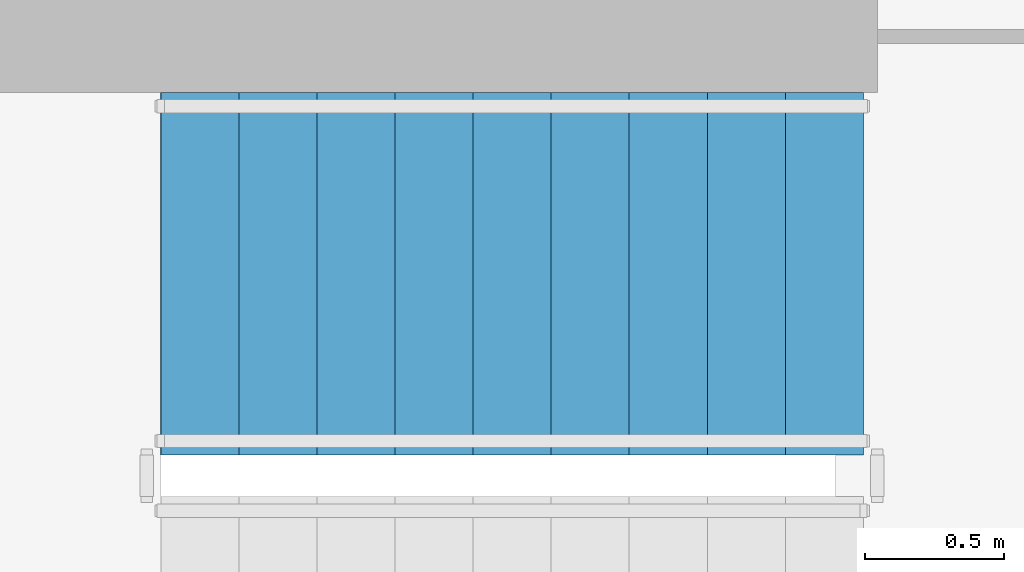
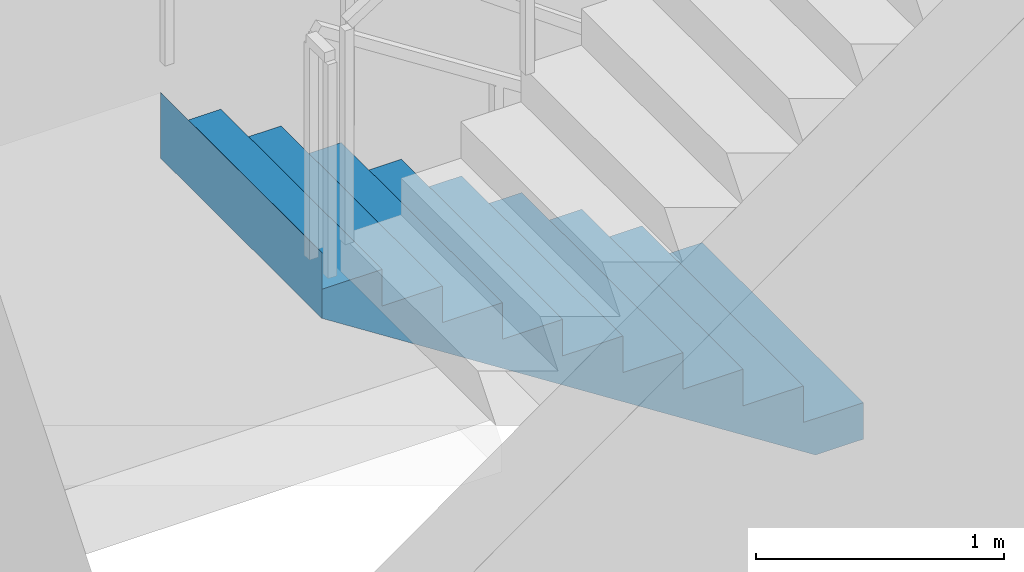
# One storey, part 21 of 25: 1 stair flight, 1 element without a shape of its own.
"""IFC4 building model written with IfcOpenShell, lengths in metres."""

from ifc_helpers import new_model, si_unit, direction, frame, origin, place, context, subcontext, project, spatial, triangles, material, type_object, element, aggregate, save


model = new_model("IFC4")

# Units and contexts
model_context = context("Model", 3, precision=1e-05, world=origin(), true_north=direction((0.0, 1.0)))
body_context = subcontext(model_context, "Body", "Model", "MODEL_VIEW")
ifc_project = project(units=[si_unit("LENGTHUNIT", "METRE"), si_unit("AREAUNIT", "SQUARE_METRE"), si_unit("VOLUMEUNIT", "CUBIC_METRE"), si_unit("PLANEANGLEUNIT", "RADIAN"), si_unit("MASSUNIT", "GRAM", prefix="KILO")], contexts=[model_context])

# Site, building, storey
site_placement = place(None, origin())
site = spatial("IfcSite", under=ifc_project, at=site_placement, CompositionType="ELEMENT")
building_placement = place(site_placement, origin())
building = spatial("IfcBuilding", under=site, at=building_placement, Name="Beryl Residences", CompositionType="ELEMENT")
storey_placement = place(building_placement, frame((0.0, 0.0, 16.199951171875)))
storey = spatial("IfcBuildingStorey", under=building, at=storey_placement, Name="L04", CompositionType="ELEMENT", Elevation=16.199951171875)

# Stair, stair flight
ifc_material_1 = material(Name="Concrete C40/50", Category="concrete")
stair_type = type_object("IfcStairType", Name="ST1 protected exit stair, half-turn, 1300 mm flights", PredefinedType="HALF_TURN_STAIR", material=ifc_material_1)
stair_placement = place(storey_placement, origin())
stair = element("IfcStair", 1, at=stair_placement, inside=storey, type_object=stair_type, Name="L04 PROTECTED EXIT STAIR ST-3", PredefinedType="HALF_TURN_STAIR")
ifc_material_2 = material(Name="Concrete C40/50", Category="concrete")
stair_flight_type = type_object("IfcStairFlightType", Name="SF1 stair flight 1300 mm", PredefinedType="STRAIGHT", material=ifc_material_2)
stair_flight_placement = place(storey_placement, frame((10.800048828125, -15.5, 0.0), z_axis=(0.0, 0.0, 1.0), x_axis=(-1.0, 0.0, 0.0)))
stair_flight = element("IfcStairFlight", 2, at=stair_flight_placement, type_object=stair_flight_type, Name="ST-3 flight 1", NumberOfRisers=10, NumberOfTreads=9, PredefinedType="STRAIGHT", RiserHeight=0.18, TreadLength=0.28, context=body_context, shape_type="Tessellation", body=[
    triangles([(0.0, -0.64990234375, 0.0), (0.0, -0.324951171875, 0.0), (0.0, 0.0, 0.0), (0.0, 0.324951171875, 0.0), (0.0, 0.64990234375, 0.0), (0.0, -0.64990234375, 0.179931640625), (0.0, -0.324951171875, 0.179931640625), (0.0, 0.0, 0.179931640625), (0.0, 0.324951171875, 0.179931640625), (0.0, 0.64990234375, 0.179931640625), (0.280029296875, -0.64990234375, 0.179931640625), (0.280029296875, -0.324951171875, 0.179931640625), (0.280029296875, 0.0, 0.179931640625), (0.280029296875, 0.324951171875, 0.179931640625), (0.280029296875, 0.64990234375, 0.179931640625), (0.280029296875, -0.64990234375, 0.360107421875), (0.280029296875, -0.324951171875, 0.360107421875), (0.280029296875, 0.0, 0.360107421875), (0.280029296875, 0.324951171875, 0.360107421875), (0.280029296875, 0.64990234375, 0.360107421875), (0.56005859375, -0.64990234375, 0.360107421875), (0.56005859375, -0.324951171875, 0.360107421875), (0.56005859375, 0.0, 0.360107421875), (0.56005859375, 0.324951171875, 0.360107421875), (0.56005859375, 0.64990234375, 0.360107421875), (0.56005859375, -0.64990234375, 0.5400390625), (0.56005859375, -0.324951171875, 0.5400390625), (0.56005859375, 0.0, 0.5400390625), (0.56005859375, 0.324951171875, 0.5400390625), (0.56005859375, 0.64990234375, 0.5400390625), (0.840087890625, -0.64990234375, 0.5400390625), (0.840087890625, -0.324951171875, 0.5400390625), (0.840087890625, 0.0, 0.5400390625), (0.840087890625, 0.324951171875, 0.5400390625), (0.840087890625, 0.64990234375, 0.5400390625), (0.840087890625, -0.64990234375, 0.719970703125), (0.840087890625, -0.324951171875, 0.719970703125), (0.840087890625, 0.0, 0.719970703125), (0.840087890625, 0.324951171875, 0.719970703125), (0.840087890625, 0.64990234375, 0.719970703125), (1.1201171875, -0.64990234375, 0.719970703125), (1.1201171875, -0.324951171875, 0.719970703125), (1.1201171875, 0.0, 0.719970703125), (1.1201171875, 0.324951171875, 0.719970703125), (1.1201171875, 0.64990234375, 0.719970703125), (1.1201171875, -0.64990234375, 0.89990234375), (1.1201171875, -0.324951171875, 0.89990234375), (1.1201171875, 0.0, 0.89990234375), (1.1201171875, 0.324951171875, 0.89990234375), (1.1201171875, 0.64990234375, 0.89990234375), (1.39990234375, -0.64990234375, 0.89990234375), (1.39990234375, -0.324951171875, 0.89990234375), (1.39990234375, 0.0, 0.89990234375), (1.39990234375, 0.324951171875, 0.89990234375), (1.39990234375, 0.64990234375, 0.89990234375), (1.39990234375, -0.64990234375, 1.080078125), (1.39990234375, -0.324951171875, 1.080078125), (1.39990234375, 0.0, 1.080078125), (1.39990234375, 0.324951171875, 1.080078125), (1.39990234375, 0.64990234375, 1.080078125), (1.679931640625, -0.64990234375, 1.080078125), (1.679931640625, -0.324951171875, 1.080078125), (1.679931640625, 0.0, 1.080078125), (1.679931640625, 0.324951171875, 1.080078125), (1.679931640625, 0.64990234375, 1.080078125), (1.679931640625, -0.64990234375, 1.260009765625), (1.679931640625, -0.324951171875, 1.260009765625), (1.679931640625, 0.0, 1.260009765625), (1.679931640625, 0.324951171875, 1.260009765625), (1.679931640625, 0.64990234375, 1.260009765625), (1.9599609375, -0.64990234375, 1.260009765625), (1.9599609375, -0.324951171875, 1.260009765625), (1.9599609375, 0.0, 1.260009765625), (1.9599609375, 0.324951171875, 1.260009765625), (1.9599609375, 0.64990234375, 1.260009765625), (1.9599609375, -0.64990234375, 1.43994140625), (1.9599609375, -0.324951171875, 1.43994140625), (1.9599609375, 0.0, 1.43994140625), (1.9599609375, 0.324951171875, 1.43994140625), (1.9599609375, 0.64990234375, 1.43994140625), (2.239990234375, -0.64990234375, 1.43994140625), (2.239990234375, -0.324951171875, 1.43994140625), (2.239990234375, 0.0, 1.43994140625), (2.239990234375, 0.324951171875, 1.43994140625), (2.239990234375, 0.64990234375, 1.43994140625), (2.239990234375, -0.64990234375, 1.6201171875), (2.239990234375, -0.324951171875, 1.6201171875), (2.239990234375, 0.0, 1.6201171875), (2.239990234375, 0.324951171875, 1.6201171875), (2.239990234375, 0.64990234375, 1.6201171875), (2.52001953125, -0.64990234375, 1.6201171875), (2.52001953125, -0.324951171875, 1.6201171875), (2.52001953125, 0.0, 1.6201171875), (2.52001953125, 0.324951171875, 1.6201171875), (2.52001953125, 0.64990234375, 1.6201171875), (2.52001953125, -0.64990234375, 1.800048828125), (2.52001953125, -0.324951171875, 1.800048828125), (2.52001953125, 0.0, 1.800048828125), (2.52001953125, 0.324951171875, 1.800048828125), (2.52001953125, 0.64990234375, 1.800048828125), (2.52099609375, -0.64990234375, 1.800048828125), (2.52099609375, -0.324951171875, 1.800048828125), (2.52099609375, 0.0, 1.800048828125), (2.52099609375, 0.324951171875, 1.800048828125), (2.52099609375, 0.64990234375, 1.800048828125), (2.52099609375, -0.64990234375, 1.477294921875), (2.52099609375, -0.324951171875, 1.477294921875), (2.52099609375, 0.0, 1.477294921875), (2.52099609375, 0.324951171875, 1.477294921875), (2.52099609375, 0.64990234375, 1.477294921875), (0.22314453125, -0.64990234375, 0.0), (0.22314453125, -0.324951171875, 0.0), (0.22314453125, 0.0, 0.0), (0.22314453125, 0.324951171875, 0.0), (0.22314453125, 0.64990234375, 0.0)], [[1, 6, 7], [1, 7, 2], [2, 7, 8], [2, 8, 3], [3, 8, 9], [3, 9, 4], [4, 9, 10], [4, 10, 5], [6, 11, 12], [6, 12, 7], [7, 12, 13], [7, 13, 8], [8, 13, 14], [8, 14, 9], [9, 14, 15], [9, 15, 10], [11, 16, 17], [11, 17, 12], [12, 17, 18], [12, 18, 13], [13, 18, 19], [13, 19, 14], [14, 19, 20], [14, 20, 15], [16, 21, 22], [16, 22, 17], [17, 22, 23], [17, 23, 18], [18, 23, 24], [18, 24, 19], [19, 24, 25], [19, 25, 20], [21, 26, 27], [21, 27, 22], [22, 27, 28], [22, 28, 23], [23, 28, 29], [23, 29, 24], [24, 29, 30], [24, 30, 25], [26, 31, 32], [26, 32, 27], [27, 32, 33], [27, 33, 28], [28, 33, 34], [28, 34, 29], [29, 34, 35], [29, 35, 30], [31, 36, 37], [31, 37, 32], [32, 37, 38], [32, 38, 33], [33, 38, 39], [33, 39, 34], [34, 39, 40], [34, 40, 35], [36, 41, 42], [36, 42, 37], [37, 42, 43], [37, 43, 38], [38, 43, 44], [38, 44, 39], [39, 44, 45], [39, 45, 40], [41, 46, 47], [41, 47, 42], [42, 47, 48], [42, 48, 43], [43, 48, 49], [43, 49, 44], [44, 49, 50], [44, 50, 45], [46, 51, 52], [46, 52, 47], [47, 52, 53], [47, 53, 48], [48, 53, 54], [48, 54, 49], [49, 54, 55], [49, 55, 50], [51, 56, 57], [51, 57, 52], [52, 57, 58], [52, 58, 53], [53, 58, 59], [53, 59, 54], [54, 59, 60], [54, 60, 55], [56, 61, 62], [56, 62, 57], [57, 62, 63], [57, 63, 58], [58, 63, 64], [58, 64, 59], [59, 64, 65], [59, 65, 60], [61, 66, 67], [61, 67, 62], [62, 67, 68], [62, 68, 63], [63, 68, 69], [63, 69, 64], [64, 69, 70], [64, 70, 65], [66, 71, 72], [66, 72, 67], [67, 72, 73], [67, 73, 68], [68, 73, 74], [68, 74, 69], [69, 74, 75], [69, 75, 70], [71, 76, 77], [71, 77, 72], [72, 77, 78], [72, 78, 73], [73, 78, 79], [73, 79, 74], [74, 79, 80], [74, 80, 75], [76, 81, 82], [76, 82, 77], [77, 82, 83], [77, 83, 78], [78, 83, 84], [78, 84, 79], [79, 84, 85], [79, 85, 80], [81, 86, 87], [81, 87, 82], [82, 87, 88], [82, 88, 83], [83, 88, 89], [83, 89, 84], [84, 89, 90], [84, 90, 85], [86, 91, 92], [86, 92, 87], [87, 92, 93], [87, 93, 88], [88, 93, 94], [88, 94, 89], [89, 94, 95], [89, 95, 90], [91, 96, 97], [91, 97, 92], [92, 97, 98], [92, 98, 93], [93, 98, 99], [93, 99, 94], [94, 99, 100], [94, 100, 95], [96, 101, 102], [96, 102, 97], [97, 102, 103], [97, 103, 98], [98, 103, 104], [98, 104, 99], [99, 104, 105], [99, 105, 100], [101, 106, 107], [101, 107, 102], [102, 107, 108], [102, 108, 103], [103, 108, 109], [103, 109, 104], [104, 109, 110], [104, 110, 105], [106, 111, 112], [106, 112, 107], [107, 112, 113], [107, 113, 108], [108, 113, 114], [108, 114, 109], [109, 114, 115], [109, 115, 110], [111, 1, 2], [111, 2, 112], [112, 2, 3], [112, 3, 113], [113, 3, 4], [113, 4, 114], [114, 4, 5], [114, 5, 115], [1, 111, 106], [5, 110, 115], [106, 101, 96], [110, 100, 105], [106, 96, 91], [110, 95, 100], [106, 91, 86], [110, 90, 95], [106, 86, 81], [110, 85, 90], [81, 76, 71], [85, 75, 80], [106, 81, 71], [110, 75, 85], [71, 66, 61], [75, 65, 70], [106, 71, 61], [110, 65, 75], [61, 56, 51], [65, 55, 60], [106, 61, 51], [110, 55, 65], [51, 46, 41], [55, 45, 50], [106, 51, 41], [110, 45, 55], [41, 36, 31], [45, 35, 40], [106, 41, 31], [110, 35, 45], [31, 26, 21], [35, 25, 30], [106, 31, 21], [110, 25, 35], [21, 16, 11], [25, 15, 20], [106, 21, 11], [110, 15, 25], [1, 106, 11], [5, 15, 110], [11, 6, 1], [15, 5, 10]], closed=True),
])
aggregate(stair, [stair_flight])

save(model, "model.ifc")
